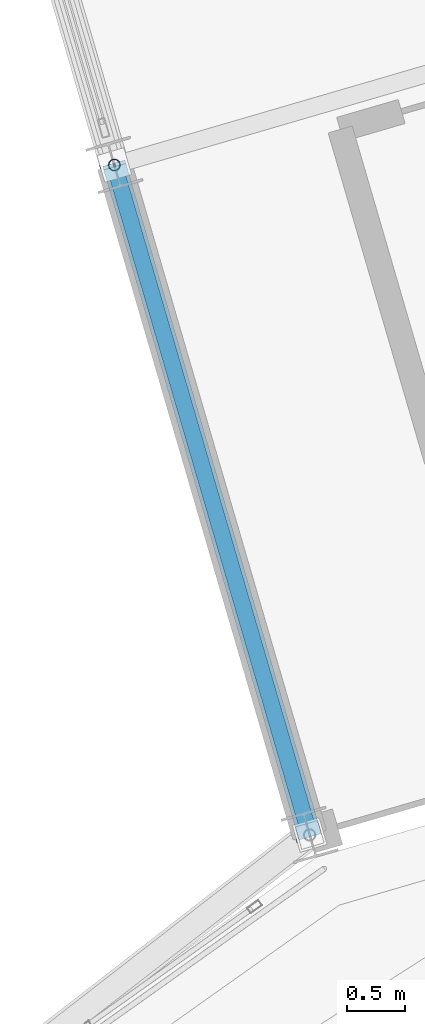
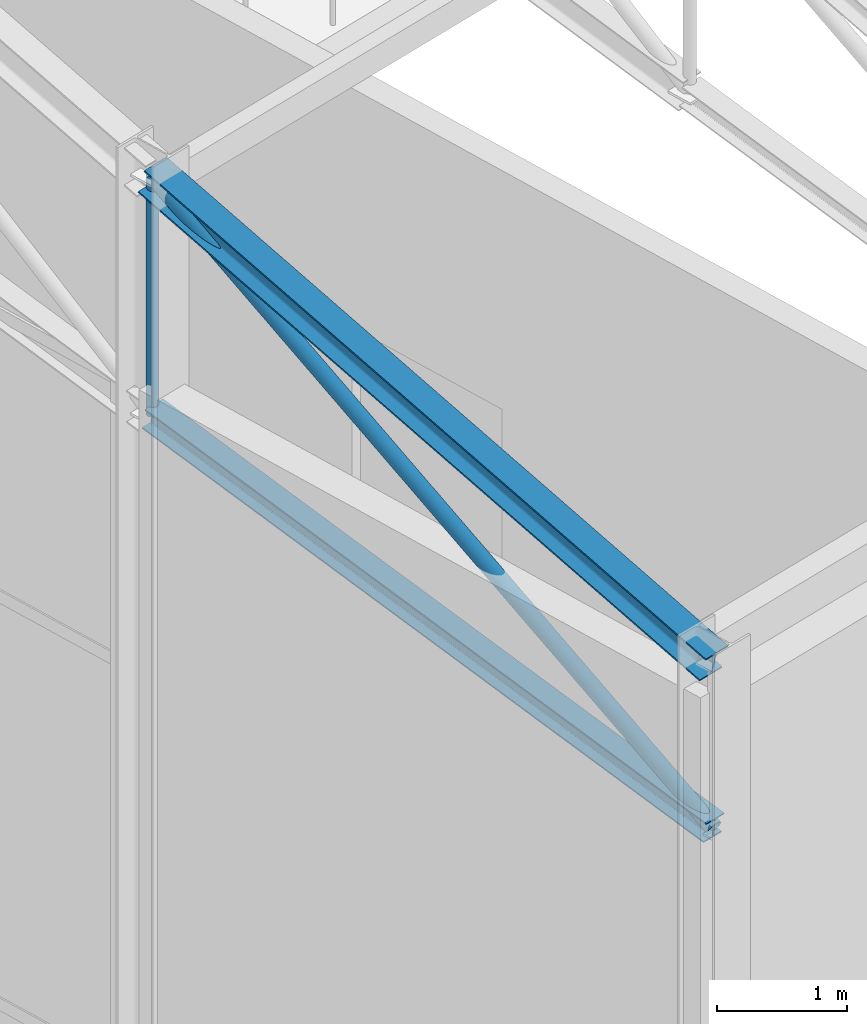
# One storey, part 134 of 248: 4 members.
"""IFC4 building model written with IfcOpenShell, lengths in metres."""

from ifc_helpers import new_model, si_unit, direction, frame, origin, origin_2d, place, context, subcontext, project, spatial, hollow_circle, i_section, extrude, material, material_profile, profile_set, type_object, element, save


model = new_model("IFC4")

# Units and contexts
model_context = context("Model", 3, precision=1e-05, world=origin(), true_north=direction((0.0, 1.0)))
body_context = subcontext(model_context, "Body", "Model", "MODEL_VIEW")
ifc_project = project(units=[si_unit("LENGTHUNIT", "METRE"), si_unit("AREAUNIT", "SQUARE_METRE"), si_unit("VOLUMEUNIT", "CUBIC_METRE"), si_unit("PLANEANGLEUNIT", "RADIAN"), si_unit("MASSUNIT", "GRAM", prefix="KILO")], contexts=[model_context])

# Site, building, storey
site_placement = place(None, origin())
site = spatial("IfcSite", under=ifc_project, at=site_placement, CompositionType="ELEMENT")
building_placement = place(site_placement, origin())
building = spatial("IfcBuilding", under=site, at=building_placement, Name="Canggui Botanical Conservatory", CompositionType="ELEMENT")
storey_placement = place(building_placement, frame((0.0, 0.0, 5.39990234375)))
storey = spatial("IfcBuildingStorey", under=building, at=storey_placement, Name="L02", CompositionType="ELEMENT", Elevation=5.39990234375)

# Members
ifc_material = material(Name="Steel Q355B", Category="steel")
ifc_material_profile_1 = material_profile(ifc_material, i_section(OverallWidth=0.25, OverallDepth=0.25, WebThickness=0.009033203125, FlangeThickness=0.013916015625, FilletRadius=0.01611328125, at=origin_2d()), Name="HW 250x250x9x14")
ifc_profile_set_1 = profile_set([ifc_material_profile_1], Name="Steel Q355B")
member_type_1 = type_object("IfcMemberType", Name="MEM-TC01", PredefinedType="CHORD", material=ifc_profile_set_1)
member_1_placement = place(storey_placement, frame((66.0, 90.0, 9.9501953125), z_axis=(-0.269385502469, 0.923646586216, 0.272595735168), x_axis=(-0.960003190047, -0.279989062464, 0.0)))
element("IfcMember", 1, at=member_1_placement, inside=storey, type_object=member_type_1, Name="Auditorium Truss AT-01 Top Chord 1", PredefinedType="CHORD", context=body_context, shape_type="SweptSolid", body=[
    extrude(i_section(OverallWidth=0.25, OverallDepth=0.25, WebThickness=0.009033203125, FlangeThickness=0.013916015625, FilletRadius=0.01611328125, at=origin_2d()), origin(), (0.0, 0.0, 1.0), 6.236083984375),
])
ifc_material_profile_2 = material_profile(ifc_material, i_section(OverallWidth=0.199951171875, OverallDepth=0.199951171875, WebThickness=0.008056640625, FlangeThickness=0.011962890625, FilletRadius=0.012939453125, at=origin_2d()), Name="HW 200x200x8x12")
ifc_profile_set_2 = profile_set([ifc_material_profile_2], Name="Steel Q355B")
member_type_2 = type_object("IfcMemberType", Name="MEM-TC02", PredefinedType="CHORD", material=ifc_profile_set_2)
member_2_placement = place(storey_placement, frame((66.0, 90.0, 8.400146484375), z_axis=(-0.276179497805, 0.946941271868, 0.16439924764), x_axis=(-0.960003190047, -0.279989062464, 0.0)))
element("IfcMember", 2, at=member_2_placement, inside=storey, type_object=member_type_2, Name="Auditorium Truss AT-01 Bottom Chord 1", PredefinedType="CHORD", context=body_context, shape_type="SweptSolid", body=[
    extrude(i_section(OverallWidth=0.199951171875, OverallDepth=0.199951171875, WebThickness=0.008056640625, FlangeThickness=0.011962890625, FilletRadius=0.012939453125, at=origin_2d()), origin(), (0.0, 0.0, 1.0), 6.082763671875),
])
ifc_material_profile_3 = material_profile(ifc_material, hollow_circle(Radius=0.070068359375, WallThickness=0.006103515625, at=origin_2d()), Name="CHS 140x6")
ifc_profile_set_3 = profile_set([ifc_material_profile_3], Name="Steel Q355B")
member_type_3 = type_object("IfcMemberType", Name="MEM-TW01", PredefinedType="BRACE", material=ifc_profile_set_3)
member_3_placement = place(storey_placement, frame((66.0, 90.0, 8.400146484375), z_axis=(-0.246192042448, 0.844122781207, 0.476283747867), x_axis=(-0.960003190047, -0.279989062464, 0.0)))
element("IfcMember", 3, at=member_3_placement, inside=storey, type_object=member_type_3, Name="Auditorium Truss AT-01 Web Diagonal 1", PredefinedType="BRACE", context=body_context, shape_type="SweptSolid", body=[
    extrude(hollow_circle(Radius=0.070068359375, WallThickness=0.006103515625, at=origin_2d()), origin(), (0.0, 0.0, 1.0), 6.82373046875),
])
ifc_material_profile_4 = material_profile(ifc_material, hollow_circle(Radius=0.051025390625, WallThickness=0.0048828125, at=origin_2d()), Name="CHS 102x5")
ifc_profile_set_4 = profile_set([ifc_material_profile_4], Name="Steel Q355B")
member_type_4 = type_object("IfcMemberType", Name="MEM-TW04", PredefinedType="BRACE", material=ifc_profile_set_4)
member_4_placement = place(storey_placement, frame((64.320068359375, 95.760009765625, 9.400146484375), z_axis=(0.0, 0.0, 1.0), x_axis=(1.0, 0.0, 0.0)))
element("IfcMember", 4, at=member_4_placement, inside=storey, type_object=member_type_4, Name="Auditorium Truss AT-01 Vertical Post 2", PredefinedType="BRACE", context=body_context, shape_type="SweptSolid", body=[
    extrude(hollow_circle(Radius=0.051025390625, WallThickness=0.0048828125, at=origin_2d()), origin(), (0.0, 0.0, 1.0), 2.25),
])

save(model, "model.ifc")
